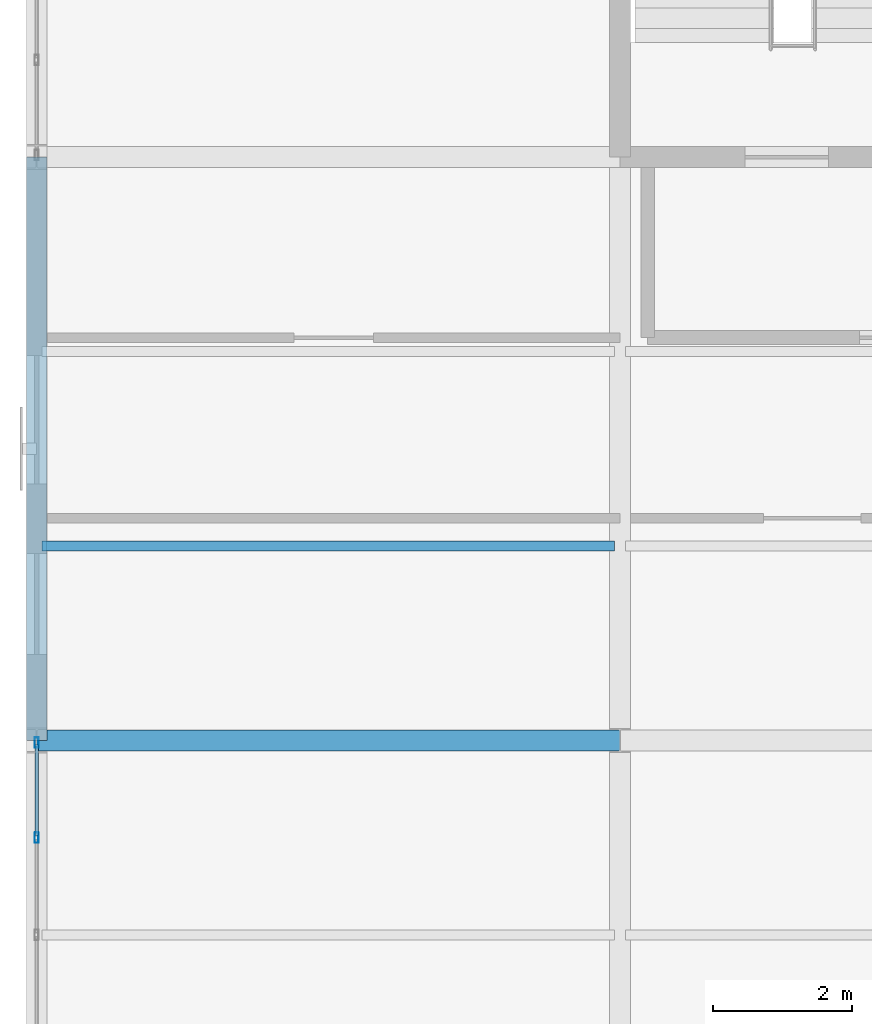
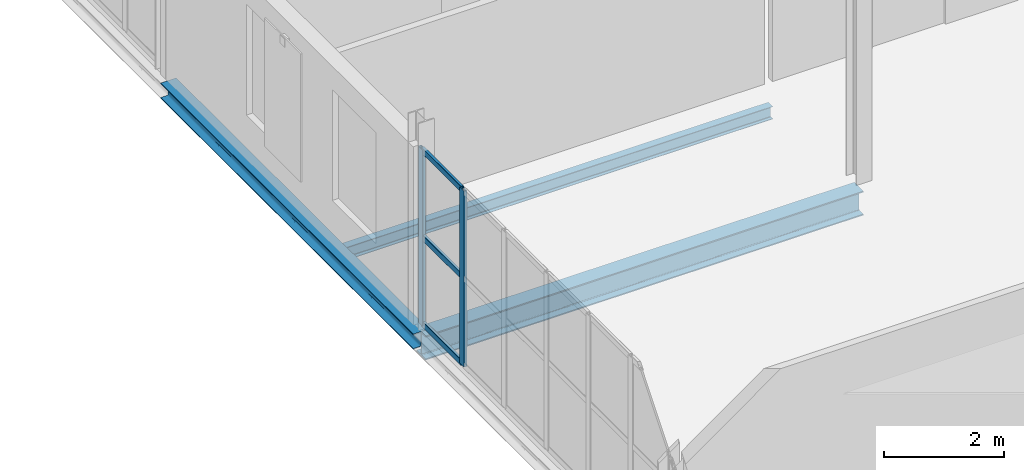
# One storey, part 40 of 163: 5 members, 3 beams, 1 element without a shape of its own.
"""IFC4 building model written with IfcOpenShell, lengths in metres."""

import ifcopenshell
import ifcopenshell.guid

model = None  # the IFC model being written
_history = None  # IfcOwnerHistory: only IFC2X3 demands one
_inside = {}  # id of a spatial element -> (the spatial element, [elements in it])
_under = {}  # id of a project, library or spatial element -> (it, [spatial elements below it])
_declared = {}  # id of a project -> (the project, [libraries it declares])
_typed = {}  # id of a type object -> (the type object, [elements of that type])
_made_of = {}  # id of a material, layer set ... -> (it, [elements and type objects made of it])


def new_model(schema):
    """Start an empty IFC model of exactly this schema.

    Asked for "IFC4X3", IfcOpenShell would pick the latest addendum, in which some entities
    have other attributes; the version numbers below select the first issue.
    IFC2X3 requires an IfcOwnerHistory on every rooted entity: one is made here for all.
    """
    global model, _history
    if schema == "IFC4X3":
        model = ifcopenshell.file(schema_version=(4, 3, 0, 0))
    else:
        model = ifcopenshell.file(schema=schema)
    _inside.clear()
    _under.clear()
    _declared.clear()
    _typed.clear()
    _made_of.clear()
    _history = None
    if model.schema == "IFC2X3":
        org = make("IfcOrganization", Name="unknown")
        user = make(
            "IfcPersonAndOrganization",
            ThePerson=make("IfcPerson", FamilyName="unknown"),
            TheOrganization=org,
        )
        app = make(
            "IfcApplication",
            ApplicationDeveloper=org,
            Version="unknown",
            ApplicationFullName="unknown",
            ApplicationIdentifier="unknown",
        )
        _history = make(
            "IfcOwnerHistory",
            OwningUser=user,
            OwningApplication=app,
            ChangeAction="ADDED",
            CreationDate=0,
        )
    return model


def make(cls, **values):
    """One entity of the class cls with the attributes given. An attribute that is None is left unset."""
    return model.create_entity(
        cls, **{name: value for name, value in values.items() if value is not None}
    )


def rooted(cls, **values):
    """An entity with a GlobalId (a new one), such as an element, a storey or a relation."""
    return make(cls, GlobalId=ifcopenshell.guid.new(), OwnerHistory=_history, **values)


def si_unit(unit_type, name, prefix=None):
    """IfcSIUnit, for example si_unit("LENGTHUNIT", "METRE", prefix="MILLI")."""
    return make("IfcSIUnit", UnitType=unit_type, Prefix=prefix, Name=name)


def assignment(units):
    """IfcUnitAssignment: the units of a project."""
    return None if units is None else make("IfcUnitAssignment", Units=units)


def point(xyz):
    """IfcCartesianPoint."""
    return None if xyz is None else make("IfcCartesianPoint", Coordinates=xyz)


def direction(xyz):
    """IfcDirection."""
    return None if xyz is None else make("IfcDirection", DirectionRatios=xyz)


def frame(location, z_axis=None, x_axis=None):
    """IfcAxis2Placement3D, a coordinate frame: its origin and axes. An axis left out is left unset."""
    return make(
        "IfcAxis2Placement3D",
        Location=point(location),
        Axis=direction(z_axis),
        RefDirection=direction(x_axis),
    )


def frame_2d(location, x_axis=None):
    """IfcAxis2Placement2D, a coordinate frame in the plane: its origin and x axis."""
    return make(
        "IfcAxis2Placement2D", Location=point(location), RefDirection=direction(x_axis)
    )


def origin():
    """The frame at (0, 0, 0) with its axes left unset."""
    return frame((0.0, 0.0, 0.0))


def origin_2d():
    """The frame at (0, 0) in the plane with its x axis left unset."""
    return frame_2d((0.0, 0.0))


def place(relative_to, where):
    """IfcLocalPlacement: puts the frame where relative to a parent placement (None: the world)."""
    return make(
        "IfcLocalPlacement", PlacementRelTo=relative_to, RelativePlacement=where
    )


def context(
    kind, dimensions, precision=None, world=None, true_north=None, identifier=None
):
    """IfcGeometricRepresentationContext, for example the 3D "Model" context."""
    return make(
        "IfcGeometricRepresentationContext",
        ContextIdentifier=identifier,
        ContextType=kind,
        CoordinateSpaceDimension=dimensions,
        Precision=precision,
        WorldCoordinateSystem=world,
        TrueNorth=true_north,
    )


def subcontext(parent, identifier, kind, view, scale=None):
    """IfcGeometricRepresentationSubContext, for example "Body" below "Model"."""
    return make(
        "IfcGeometricRepresentationSubContext",
        ContextIdentifier=identifier,
        ContextType=kind,
        ParentContext=parent,
        TargetScale=scale,
        TargetView=view,
    )


def project(units=None, contexts=None):
    """IfcProject with its units and contexts."""
    return rooted(
        "IfcProject",
        Name="project",
        RepresentationContexts=contexts,
        UnitsInContext=assignment(units),
    )


def spatial(cls, under=None, at=None, **own):
    """A site, building, storey or space (cls), placed at a placement, below another one or the project."""
    s = rooted(cls, ObjectPlacement=at, **own)
    if under is not None:
        _under.setdefault(under.id(), (under, []))[1].append(s)
    return s


def profile(cls, at=None, kind="AREA", **sizes):
    """A parametric profile (cls). Its sizes go by their IFC names, for example OverallWidth=200.0."""
    return make(cls, ProfileType=kind, Position=at, **sizes)


def hollow_rectangle(**sizes):
    """IfcRectangleHollowProfileDef."""
    return profile("IfcRectangleHollowProfileDef", **sizes)


def i_section(**sizes):
    """IfcIShapeProfileDef."""
    return profile("IfcIShapeProfileDef", **sizes)


def extrude(swept, where, along, depth):
    """IfcExtrudedAreaSolid: the profile swept, set in the frame where, extruded along a direction by depth."""
    return make(
        "IfcExtrudedAreaSolid",
        SweptArea=swept,
        Position=where,
        ExtrudedDirection=direction(along),
        Depth=depth,
    )


def shape(context_of_items, identifier, shape_type, items):
    """IfcShapeRepresentation: the items that make up one representation, for example the "Body"."""
    return make(
        "IfcShapeRepresentation",
        ContextOfItems=context_of_items,
        RepresentationIdentifier=identifier,
        RepresentationType=shape_type,
        Items=items,
    )


def material(Name=None, Category=None):
    """IfcMaterial."""
    return make("IfcMaterial", Name=Name, Category=Category)


def layer(
    of_material, thickness, ventilated=None, Name=None, Category=None, Priority=None
):
    """IfcMaterialLayer: one layer of a wall or slab, of a material (None: an air gap)."""
    return make(
        "IfcMaterialLayer",
        Material=of_material,
        LayerThickness=thickness,
        IsVentilated=ventilated,
        Name=Name,
        Category=Category,
        Priority=Priority,
    )


def layer_set(layers, Name=None):
    """IfcMaterialLayerSet."""
    return make("IfcMaterialLayerSet", MaterialLayers=layers, LayerSetName=Name)


def material_profile(
    of_material, cross_section, Name=None, Category=None, Priority=None
):
    """IfcMaterialProfile: a cross section and its material."""
    return make(
        "IfcMaterialProfile",
        Name=Name,
        Material=of_material,
        Profile=cross_section,
        Priority=Priority,
        Category=Category,
    )


def profile_set(profiles, Name=None, composite=None):
    """IfcMaterialProfileSet."""
    return make(
        "IfcMaterialProfileSet",
        Name=Name,
        MaterialProfiles=profiles,
        CompositeProfile=composite,
    )


def made_of(thing, what):
    """Note that an element or type object is made of a material, layer set ...; save() writes the relation."""
    if what is not None:
        _made_of.setdefault(what.id(), (what, []))[1].append(thing)
    return thing


def type_object(cls, material=None, **own):
    """A type object (cls), such as IfcWallType, which elements share."""
    return made_of(rooted(cls, **own), material)


def element(
    cls,
    number,
    at=None,
    inside=None,
    cuts=None,
    type_object=None,
    material=None,
    context=None,
    identifier="Body",
    shape_type=None,
    held_by="IfcProductDefinitionShape",
    body=None,
    shapes=None,
    **own,
):
    """One element of the class cls, such as IfcWall. Its Tag is "e" and its number.

    at: its placement. inside: the storey or other place that contains it. cuts: it is an
    opening in that element (IfcRelVoidsElement). A single representation is given by context,
    identifier, shape_type and body (its items); several are given by shapes. held_by: the class
    of the entity that holds the representations. save() writes the other relations.
    """
    e = rooted(cls, Tag="e%d" % number, ObjectPlacement=at, **own)
    if body is not None:
        shapes = [shape(context, identifier, shape_type, body)]
    if shapes is not None:
        e.Representation = make(held_by, Representations=shapes)
    if inside is not None:
        _inside.setdefault(inside.id(), (inside, []))[1].append(e)
    if cuts is not None:
        rooted(
            "IfcRelVoidsElement", RelatingBuildingElement=cuts, RelatedOpeningElement=e
        )
    if type_object is not None:
        _typed.setdefault(type_object.id(), (type_object, []))[1].append(e)
    return made_of(e, material)


def aggregate(whole, parts):
    """IfcRelAggregates: a whole, such as a stair, and the parts it consists of."""
    return rooted("IfcRelAggregates", RelatingObject=whole, RelatedObjects=parts)


def save(model, path):
    """Write the relations noted so far, then the file.

    IfcRelAggregates (storeys below a building ...), IfcRelContainedInSpatialStructure (elements
    in a storey), IfcRelDefinesByType, IfcRelAssociatesMaterial and IfcRelDeclares: one each for
    every whole, place, type object, material and project.
    """
    for whole, parts in _under.values():
        aggregate(whole, parts)
    for where, things in _inside.values():
        rooted(
            "IfcRelContainedInSpatialStructure",
            RelatedElements=things,
            RelatingStructure=where,
        )
    for kind, things in _typed.values():
        rooted("IfcRelDefinesByType", RelatedObjects=things, RelatingType=kind)
    for what, things in _made_of.values():
        rooted("IfcRelAssociatesMaterial", RelatedObjects=things, RelatingMaterial=what)
    for by, libraries in _declared.values():
        rooted("IfcRelDeclares", RelatingContext=by, RelatedDefinitions=libraries)
    model.write(path)


model = new_model("IFC4")

# Units and contexts
model_context = context("Model", 3, precision=1e-05, world=origin(), true_north=direction((0.0, 1.0)))
body_context = subcontext(model_context, "Body", "Model", "MODEL_VIEW")
ifc_project = project(units=[si_unit("LENGTHUNIT", "METRE"), si_unit("AREAUNIT", "SQUARE_METRE"), si_unit("VOLUMEUNIT", "CUBIC_METRE"), si_unit("PLANEANGLEUNIT", "RADIAN"), si_unit("MASSUNIT", "GRAM", prefix="KILO")], contexts=[model_context])

# Site, building, storey
site_placement = place(None, origin())
site = spatial("IfcSite", under=ifc_project, at=site_placement, CompositionType="ELEMENT")
building_placement = place(site_placement, origin())
building = spatial("IfcBuilding", under=site, at=building_placement, Name="Qalvenar Corner Mobility Hub", CompositionType="ELEMENT")
storey_placement = place(building_placement, frame((0.0, 0.0, 4.800048828125)))
storey = spatial("IfcBuildingStorey", under=building, at=storey_placement, Name="L01", CompositionType="ELEMENT", Elevation=4.800048828125)

# Beams
ifc_material_1 = material(Name="Steel S355", Category="steel")
ifc_material_profile_1 = material_profile(ifc_material_1, i_section(OverallWidth=0.300048828125, OverallDepth=0.489990234375, WebThickness=0.011962890625, FlangeThickness=0.02294921875, FilletRadius=0.027099609375, at=origin_2d()), Name="HEA500")
ifc_profile_set_1 = profile_set([ifc_material_profile_1], Name="Steel S355")
beam_type_1 = type_object("IfcBeamType", Name="BM-HEA500", PredefinedType="BEAM", material=ifc_profile_set_1)
beam_1_placement = place(storey_placement, frame((0.0, 50.39990234375, -0.425048828125), z_axis=(1.0, 0.0, 0.0), x_axis=(0.0, 1.0, 0.0)))
element("IfcBeam", 1, at=beam_1_placement, inside=storey, type_object=beam_type_1, Name="Primary Steel Girder GX-1156", PredefinedType="BEAM", context=body_context, shape_type="SweptSolid", body=[
    extrude(i_section(OverallWidth=0.300048828125, OverallDepth=0.489990234375, WebThickness=0.011962890625, FlangeThickness=0.02294921875, FilletRadius=0.027099609375, at=origin_2d()), origin(), (0.0, 0.0, 1.0), 8.39990234375),
])
ifc_material_profile_2 = material_profile(ifc_material_1, i_section(OverallWidth=0.14599609375, OverallDepth=0.258056640625, WebThickness=0.006103515625, FlangeThickness=0.009033203125, FilletRadius=0.011962890625, at=origin_2d()), Name="W250x32.7")
ifc_profile_set_2 = profile_set([ifc_material_profile_2], Name="Steel S355")
beam_type_2 = type_object("IfcBeamType", Name="BM-JST250", PredefinedType="JOIST", material=ifc_profile_set_2)
beam_2_placement = place(storey_placement, frame((0.077880859375, 53.199951171875, -0.30908203125), z_axis=(1.0, 0.0, 0.0), x_axis=(0.0, 1.0, 0.0)))
element("IfcBeam", 2, at=beam_2_placement, inside=storey, type_object=beam_type_2, Name="Composite Floor Joist J-1212", PredefinedType="JOIST", context=body_context, shape_type="SweptSolid", body=[
    extrude(i_section(OverallWidth=0.14599609375, OverallDepth=0.258056640625, WebThickness=0.006103515625, FlangeThickness=0.009033203125, FilletRadius=0.011962890625, at=origin_2d()), origin(), (0.0, 0.0, 1.0), 8.244140625),
])
ifc_material_profile_3 = material_profile(ifc_material_1, i_section(OverallWidth=0.300048828125, OverallDepth=0.31005859375, WebThickness=0.009033203125, FlangeThickness=0.015380859375, FilletRadius=0.027099609375, at=origin_2d()), Name="HEA320")
ifc_profile_set_3 = profile_set([ifc_material_profile_3], Name="Steel S355")
beam_type_3 = type_object("IfcBeamType", Name="BM-SPN320", PredefinedType="SPANDREL", material=ifc_profile_set_3)
beam_3_placement = place(storey_placement, frame((0.0, 50.39990234375, -0.3349609375), z_axis=(0.0, 1.0, 0.0), x_axis=(-1.0, 0.0, 0.0)))
element("IfcBeam", 3, at=beam_3_placement, inside=storey, type_object=beam_type_3, Name="Primary Steel Girder GY-1181", PredefinedType="SPANDREL", context=body_context, shape_type="SweptSolid", body=[
    extrude(i_section(OverallWidth=0.300048828125, OverallDepth=0.31005859375, WebThickness=0.009033203125, FlangeThickness=0.015380859375, FilletRadius=0.027099609375, at=origin_2d()), origin(), (0.0, 0.0, 1.0), 8.400146484375),
])

# Curtain wall, members
ifc_material_2 = material(Name="Anodised Aluminium and Low-E Glazing", Category="aluminium")
ifc_layer = layer(ifc_material_2, 0.14990234375)
ifc_layer_set = layer_set([ifc_layer], Name="Anodised Aluminium and Low-E Glazing")
curtain_wall_type = type_object("IfcCurtainWallType", Name="CW-CYC-84X39", PredefinedType="NOTDEFINED", material=ifc_layer_set)
curtain_wall_placement = place(storey_placement, origin())
curtain_wall = element("IfcCurtainWall", 4, at=curtain_wall_placement, inside=storey, type_object=curtain_wall_type, Name="Glazed Curtain Wall CW-V5-L01-W0", PredefinedType="NOTDEFINED")
ifc_material_3 = material(Name="Anodised Aluminium 6063-T6", Category="aluminium")
ifc_material_profile_4 = material_profile(ifc_material_3, hollow_rectangle(XDim=0.06005859375, YDim=0.14990234375, WallThickness=0.00390625, InnerFilletRadius=0.00390625, OuterFilletRadius=0.008056640625, at=origin_2d()), Name="RHS150x60x4")
ifc_profile_set_4 = profile_set([ifc_material_profile_4], Name="Anodised Aluminium 6063-T6")
member_type_1 = type_object("IfcMemberType", Name="CW-MUL150", PredefinedType="MULLION", material=ifc_profile_set_4)
member_1_placement = place(storey_placement, frame((0.0, 50.3701171875, 0.0), z_axis=(0.0, 0.0, 1.0), x_axis=(1.0, 0.0, 0.0)))
member_1 = element("IfcMember", 5, at=member_1_placement, type_object=member_type_1, Name="CW-08 mullion 1", PredefinedType="MULLION", context=body_context, shape_type="SweptSolid", body=[
    extrude(hollow_rectangle(XDim=0.06005859375, YDim=0.14990234375, WallThickness=0.00390625, InnerFilletRadius=0.00390625, OuterFilletRadius=0.008056640625, at=origin_2d()), origin(), (0.0, 0.0, 1.0), 3.570068359375),
])
member_2_placement = place(storey_placement, frame((0.0, 49.0, 0.0), z_axis=(0.0, 0.0, 1.0), x_axis=(1.0, 0.0, 0.0)))
member_2 = element("IfcMember", 6, at=member_2_placement, type_object=member_type_1, Name="CW-08 mullion 2", PredefinedType="MULLION", context=body_context, shape_type="SweptSolid", body=[
    extrude(hollow_rectangle(XDim=0.06005859375, YDim=0.14990234375, WallThickness=0.00390625, InnerFilletRadius=0.00390625, OuterFilletRadius=0.008056640625, at=origin_2d()), origin(), (0.0, 0.0, 1.0), 3.570068359375),
])
ifc_material_profile_5 = material_profile(ifc_material_3, hollow_rectangle(XDim=0.054931640625, YDim=0.1201171875, WallThickness=0.00341796875, InnerFilletRadius=0.00341796875, OuterFilletRadius=0.007080078125, at=origin_2d()), Name="RHS120x55x3.5")
ifc_profile_set_5 = profile_set([ifc_material_profile_5], Name="Anodised Aluminium 6063-T6")
member_type_2 = type_object("IfcMemberType", Name="CW-TRN120", PredefinedType="USERDEFINED", material=ifc_profile_set_5)
member_3_placement = place(storey_placement, frame((0.0, 50.340087890625, 0.02734375), z_axis=(0.0, -1.0, 0.0), x_axis=(1.0, 0.0, 0.0)))
member_3 = element("IfcMember", 7, at=member_3_placement, type_object=member_type_2, Name="CW-08 transom 1.1", ObjectType="TRANSOM", PredefinedType="USERDEFINED", context=body_context, shape_type="SweptSolid", body=[
    extrude(hollow_rectangle(XDim=0.054931640625, YDim=0.1201171875, WallThickness=0.00341796875, InnerFilletRadius=0.00341796875, OuterFilletRadius=0.007080078125, at=origin_2d()), origin(), (0.0, 0.0, 1.0), 1.31005859375),
])
member_4_placement = place(storey_placement, frame((0.0, 50.340087890625, 1.784912109375), z_axis=(0.0, -1.0, 0.0), x_axis=(1.0, 0.0, 0.0)))
member_4 = element("IfcMember", 8, at=member_4_placement, type_object=member_type_2, Name="CW-08 transom 1.2", ObjectType="TRANSOM", PredefinedType="USERDEFINED", context=body_context, shape_type="SweptSolid", body=[
    extrude(hollow_rectangle(XDim=0.054931640625, YDim=0.1201171875, WallThickness=0.00341796875, InnerFilletRadius=0.00341796875, OuterFilletRadius=0.007080078125, at=origin_2d()), origin(), (0.0, 0.0, 1.0), 1.31005859375),
])
member_5_placement = place(storey_placement, frame((0.0, 50.340087890625, 3.54248046875), z_axis=(0.0, -1.0, 0.0), x_axis=(1.0, 0.0, 0.0)))
member_5 = element("IfcMember", 9, at=member_5_placement, type_object=member_type_2, Name="CW-08 transom 1.3", ObjectType="TRANSOM", PredefinedType="USERDEFINED", context=body_context, shape_type="SweptSolid", body=[
    extrude(hollow_rectangle(XDim=0.054931640625, YDim=0.1201171875, WallThickness=0.00341796875, InnerFilletRadius=0.00341796875, OuterFilletRadius=0.007080078125, at=origin_2d()), origin(), (0.0, 0.0, 1.0), 1.31005859375),
])
aggregate(curtain_wall, [member_1, member_2, member_3, member_4, member_5])

save(model, "model.ifc")
